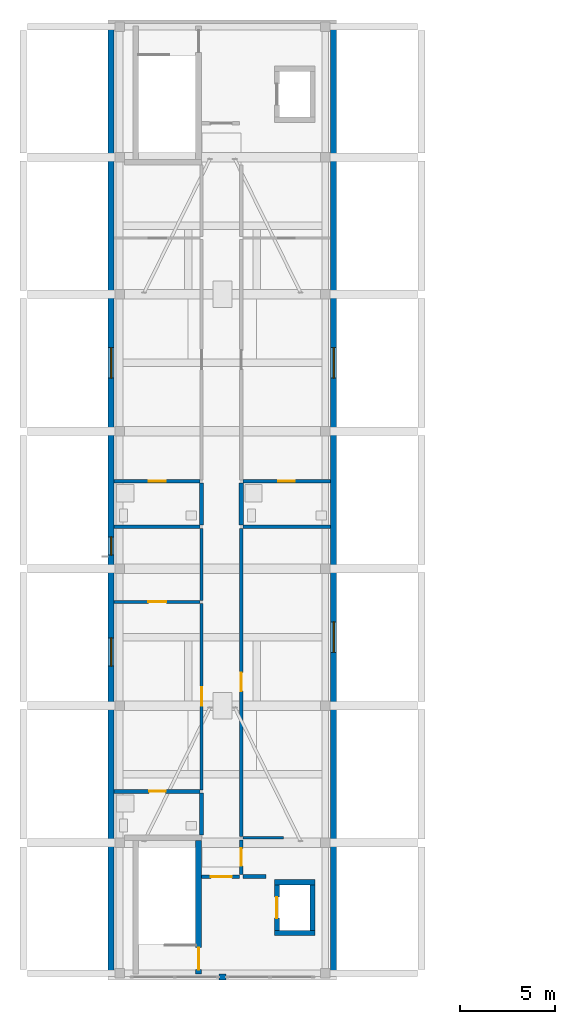
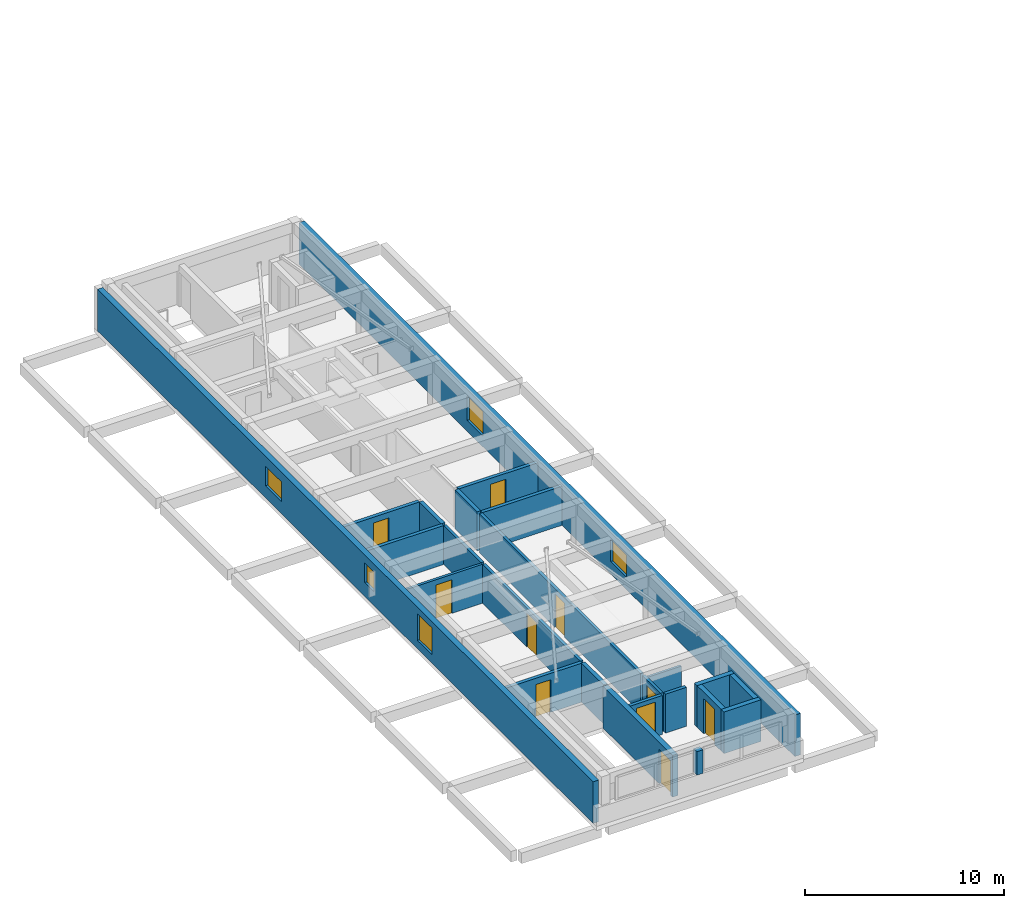
# One storey, part 4 of 9: 24 walls, 10 doors, 5 windows, 15 openings.
"""IFC4 building model written with IfcOpenShell, lengths in metres."""

from ifc_helpers import new_model, si_unit, derived_unit, direction, frame, frame_2d, origin, place, context, subcontext, project, spatial, rectangle, extrude, material, layer, layer_set, type_object, element, fill, save


model = new_model("IFC4")

# Units and contexts
model_context = context("Model", 3, precision=1e-05, world=origin(), true_north=direction((0.0, 1.0)))
body_context = subcontext(model_context, "Body", "Model", "MODEL_VIEW")
ifc_project = project(units=[si_unit("LENGTHUNIT", "METRE"), si_unit("AREAUNIT", "SQUARE_METRE"), si_unit("VOLUMEUNIT", "CUBIC_METRE"), si_unit("PLANEANGLEUNIT", "RADIAN"), si_unit("MASSUNIT", "GRAM", prefix="KILO"), derived_unit("THERMALTRANSMITTANCEUNIT", [(si_unit("MASSUNIT", "GRAM", prefix="KILO"), 1), (si_unit("TIMEUNIT", "SECOND"), -3), (si_unit("THERMODYNAMICTEMPERATUREUNIT", "KELVIN"), -1)])], contexts=[model_context])

# Site, building, storey
site_placement = place(None, origin())
site = spatial("IfcSite", under=ifc_project, at=site_placement, CompositionType="ELEMENT")
building_placement = place(site_placement, origin())
building = spatial("IfcBuilding", under=site, at=building_placement, Name="Ochrekiln Boulevard Commons", CompositionType="ELEMENT")
storey_placement = place(building_placement, frame((0.0, 0.0, 46.72509765625)))
storey = spatial("IfcBuildingStorey", under=building, at=storey_placement, Name="L14", CompositionType="ELEMENT", Elevation=46.72509765625)

# Wall, openings, windows
ifc_material_1 = material(Name="Desert ochre clinker brick masonry ASTM C216 Grade SW", Category="masonry")
ifc_layer_1 = layer(ifc_material_1, 0.320068359375)
ifc_layer_set_1 = layer_set([ifc_layer_1], Name="Desert ochre clinker brick masonry ASTM C216 Grade SW")
wall_type_1 = type_object("IfcWallType", Name="WL-EXT-OCHRE-320", PredefinedType="SOLIDWALL", material=ifc_layer_set_1)
wall_1_placement = place(storey_placement, frame((4.9599609375, 68.719970703125, 0.0), z_axis=(0.0, 0.0, 1.0), x_axis=(0.0, 1.0, 0.0)))
wall_1 = element("IfcWall", 1, at=wall_1_placement, inside=storey, type_object=wall_type_1, Name="Block A L14 W Exterior Wall", PredefinedType="SOLIDWALL", context=body_context, shape_type="SweptSolid", body=[
    extrude(rectangle(XDim=49.760009765625, YDim=0.320068359375, at=frame_2d((24.8798828125, 0.0))), origin(), (0.0, 0.0, 1.0), 2.5498046875),
])
opening_1_placement = place(wall_1_placement, frame((16.160888671875, 0.0, 0.514892578125)))
opening_1 = element("IfcOpeningElement", 2, at=opening_1_placement, cuts=wall_1, Name="Opening W-29", PredefinedType="OPENING", context=body_context, shape_type="SweptSolid", body=[
    extrude(rectangle(XDim=1.47998046875, YDim=1.64990234375, at=frame_2d((0.739990234375, 0.824951171875))), frame((0.0, 0.169921875, 0.0), z_axis=(0.0, -1.0, 0.0), x_axis=(1.0, 0.0, 0.0)), (0.0, 0.0, 1.0), 0.340087890625),
])
opening_2_placement = place(wall_1_placement, frame((21.990966796875, 0.0, 0.85009765625)))
opening_2 = element("IfcOpeningElement", 3, at=opening_2_placement, cuts=wall_1, Name="Opening W-01", PredefinedType="OPENING", context=body_context, shape_type="SweptSolid", body=[
    extrude(rectangle(XDim=0.949951171875, YDim=1.199951171875, at=frame_2d((0.47509765625, 0.60009765625))), frame((0.0, 0.169921875, 0.0), z_axis=(0.0, -1.0, 0.0), x_axis=(1.0, 0.0, 0.0)), (0.0, 0.0, 1.0), 0.340087890625),
])
opening_3_placement = place(wall_1_placement, frame((31.280029296875, 0.0, 0.75)))
opening_3 = element("IfcOpeningElement", 4, at=opening_3_placement, cuts=wall_1, Name="Opening W-31", PredefinedType="OPENING", context=body_context, shape_type="SweptSolid", body=[
    extrude(rectangle(XDim=1.60009765625, YDim=1.199951171875, at=frame_2d((0.800048828125, 0.60009765625))), frame((0.0, 0.169921875, 0.0), z_axis=(0.0, -1.0, 0.0), x_axis=(1.0, 0.0, 0.0)), (0.0, 0.0, 1.0), 0.340087890625),
])
ifc_material_2 = material(Name="Thermally broken aluminium-clad oak frame", Category="aluminium")
window_type_1 = type_object("IfcWindowType", Name="WIN-EXT-01", PartitioningType="SINGLE_PANEL", PredefinedType="WINDOW", material=ifc_material_2)
window_1_placement = place(opening_2_placement, origin())
window_1 = element("IfcWindow", 5, at=window_1_placement, inside=storey, type_object=window_type_1, Name="Block A L14 Punched Masonry Window W-01", OverallHeight=1.199951171875, OverallWidth=0.949951171875, PartitioningType="SINGLE_PANEL", PredefinedType="WINDOW", context=body_context, shape_type="SweptSolid", body=[
    extrude(rectangle(XDim=0.949951171875, YDim=1.199951171875, at=frame_2d((0.47509765625, 0.60009765625))), frame((0.0, 0.030029296875, 0.0), z_axis=(0.0, -1.0, 0.0), x_axis=(1.0, 0.0, 0.0)), (0.0, 0.0, 1.0), 0.06005859375),
])
fill(opening_2, window_1)
window_type_2 = type_object("IfcWindowType", Name="WIN-EXT-29", PartitioningType="SINGLE_PANEL", PredefinedType="WINDOW", material=ifc_material_2)
window_2_placement = place(opening_1_placement, origin())
window_2 = element("IfcWindow", 6, at=window_2_placement, inside=storey, type_object=window_type_2, Name="Block A L14 Punched Masonry Window W-29", OverallHeight=1.64990234375, OverallWidth=1.47998046875, PartitioningType="SINGLE_PANEL", PredefinedType="WINDOW", context=body_context, shape_type="SweptSolid", body=[
    extrude(rectangle(XDim=1.47998046875, YDim=1.64990234375, at=frame_2d((0.739990234375, 0.824951171875))), frame((0.0, 0.030029296875, 0.0), z_axis=(0.0, -1.0, 0.0), x_axis=(1.0, 0.0, 0.0)), (0.0, 0.0, 1.0), 0.06005859375),
])
fill(opening_1, window_2)
window_type_3 = type_object("IfcWindowType", Name="WIN-EXT-31", PartitioningType="DOUBLE_PANEL_VERTICAL", PredefinedType="WINDOW", material=ifc_material_2)
window_3_placement = place(opening_3_placement, origin())
window_3 = element("IfcWindow", 7, at=window_3_placement, inside=storey, type_object=window_type_3, Name="Block A L14 Punched Masonry Window W-31", OverallHeight=1.199951171875, OverallWidth=1.60009765625, PartitioningType="DOUBLE_PANEL_VERTICAL", PredefinedType="WINDOW", context=body_context, shape_type="SweptSolid", body=[
    extrude(rectangle(XDim=1.60009765625, YDim=1.199951171875, at=frame_2d((0.800048828125, 0.60009765625))), frame((0.0, 0.030029296875, 0.0), z_axis=(0.0, -1.0, 0.0), x_axis=(1.0, 0.0, 0.0)), (0.0, 0.0, 1.0), 0.06005859375),
])
fill(opening_3, window_3)

wall_2_placement = place(storey_placement, frame((16.639892578125, 68.719970703125, 0.0), z_axis=(0.0, 0.0, 1.0), x_axis=(0.0, 1.0, 0.0)))
wall_2 = element("IfcWall", 8, at=wall_2_placement, inside=storey, type_object=wall_type_1, Name="Block A L14 E Exterior Wall", PredefinedType="SOLIDWALL", context=body_context, shape_type="SweptSolid", body=[
    extrude(rectangle(XDim=49.760009765625, YDim=0.320068359375, at=frame_2d((24.8798828125, 0.0))), origin(), (0.0, 0.0, 1.0), 2.5498046875),
])
opening_4_placement = place(wall_2_placement, frame((16.8798828125, 0.0, 0.75)))
opening_4 = element("IfcOpeningElement", 9, at=opening_4_placement, cuts=wall_2, Name="Opening W-32", PredefinedType="OPENING", context=body_context, shape_type="SweptSolid", body=[
    extrude(rectangle(XDim=1.60009765625, YDim=1.35009765625, at=frame_2d((0.800048828125, 0.675048828125))), frame((0.0, 0.169921875, 0.0), z_axis=(0.0, -1.0, 0.0), x_axis=(1.0, 0.0, 0.0)), (0.0, 0.0, 1.0), 0.340087890625),
])
opening_5_placement = place(wall_2_placement, frame((31.280029296875, 0.0, 0.6650390625)))
opening_5 = element("IfcOpeningElement", 10, at=opening_5_placement, cuts=wall_2, Name="Opening W-33", PredefinedType="OPENING", context=body_context, shape_type="SweptSolid", body=[
    extrude(rectangle(XDim=1.60009765625, YDim=1.5, at=frame_2d((0.800048828125, 0.75))), frame((0.0, 0.169921875, 0.0), z_axis=(0.0, -1.0, 0.0), x_axis=(1.0, 0.0, 0.0)), (0.0, 0.0, 1.0), 0.340087890625),
])
window_type_4 = type_object("IfcWindowType", Name="WIN-EXT-32", PartitioningType="DOUBLE_PANEL_VERTICAL", PredefinedType="WINDOW", material=ifc_material_2)
window_4_placement = place(opening_4_placement, origin())
window_4 = element("IfcWindow", 11, at=window_4_placement, inside=storey, type_object=window_type_4, Name="Block A L14 Punched Masonry Window W-32", OverallHeight=1.35009765625, OverallWidth=1.60009765625, PartitioningType="DOUBLE_PANEL_VERTICAL", PredefinedType="WINDOW", context=body_context, shape_type="SweptSolid", body=[
    extrude(rectangle(XDim=1.60009765625, YDim=1.35009765625, at=frame_2d((0.800048828125, 0.675048828125))), frame((0.0, 0.030029296875, 0.0), z_axis=(0.0, -1.0, 0.0), x_axis=(1.0, 0.0, 0.0)), (0.0, 0.0, 1.0), 0.06005859375),
])
fill(opening_4, window_4)
window_type_5 = type_object("IfcWindowType", Name="WIN-EXT-33", PartitioningType="DOUBLE_PANEL_VERTICAL", PredefinedType="WINDOW", material=ifc_material_2)
window_5_placement = place(opening_5_placement, origin())
window_5 = element("IfcWindow", 12, at=window_5_placement, inside=storey, type_object=window_type_5, Name="Block A L14 Punched Masonry Window W-33", OverallHeight=1.5, OverallWidth=1.60009765625, PartitioningType="DOUBLE_PANEL_VERTICAL", PredefinedType="WINDOW", context=body_context, shape_type="SweptSolid", body=[
    extrude(rectangle(XDim=1.60009765625, YDim=1.5, at=frame_2d((0.800048828125, 0.75))), frame((0.0, 0.030029296875, 0.0), z_axis=(0.0, -1.0, 0.0), x_axis=(1.0, 0.0, 0.0)), (0.0, 0.0, 1.0), 0.06005859375),
])
fill(opening_5, window_5)

# Wall
wall_3_placement = place(storey_placement, frame((10.6201171875, 68.56005859375, 1.10986328125), z_axis=(0.0, 0.0, 1.0), x_axis=(1.0, 0.0, 0.0)))
element("IfcWall", 13, at=wall_3_placement, inside=storey, type_object=wall_type_1, Name="Block A L14 Courtyard Gable Mullion Pier", PredefinedType="SOLIDWALL", context=body_context, shape_type="SweptSolid", body=[
    extrude(rectangle(XDim=0.35986328125, YDim=0.320068359375, at=frame_2d((0.179931640625, 0.0))), origin(), (0.0, 0.0, 1.0), 1.43994140625),
])

# Wall, opening, door
ifc_material_3 = material(Name="Moisture-resistant cementitious tile backer wall")
ifc_layer_2 = layer(ifc_material_3, 0.199951171875)
ifc_layer_set_2 = layer_set([ifc_layer_2], Name="Moisture-resistant cementitious tile backer wall")
wall_type_2 = type_object("IfcWallType", Name="WL-PLM-200", PredefinedType="PLUMBINGWALL", material=ifc_layer_set_2)
wall_4_placement = place(storey_placement, frame((5.1201171875, 78.300048828125, 0.0), z_axis=(0.0, 0.0, 1.0), x_axis=(1.0, 0.0, 0.0)))
wall_4 = element("IfcWall", 14, at=wall_4_placement, inside=storey, type_object=wall_type_2, Name="L14 Interior Wall W-PW200", PredefinedType="PLUMBINGWALL", context=body_context, shape_type="SweptSolid", body=[
    extrude(rectangle(XDim=4.5078125, YDim=0.199951171875, at=frame_2d((2.25390625, 0.0))), origin(), (0.0, 0.0, 1.0), 2.389892578125),
])
opening_6_placement = place(wall_4_placement, frame((1.8349609375, 0.0, 0.0)))
opening_6 = element("IfcOpeningElement", 15, at=opening_6_placement, cuts=wall_4, Name="Opening D-L14-1371", PredefinedType="OPENING", context=body_context, shape_type="SweptSolid", body=[
    extrude(rectangle(XDim=0.860107421875, YDim=2.0, at=frame_2d((0.43017578125, 1.0))), frame((0.0, 0.10986328125, 0.0), z_axis=(0.0, -1.0, 0.0), x_axis=(1.0, 0.0, 0.0)), (0.0, 0.0, 1.0), 0.219970703125),
])
ifc_material_4 = material(Name="Solid core architectural oak door leaf")
door_type_1 = type_object("IfcDoorType", Name="DR-INT-BTH-086", OperationType="NOTDEFINED", PredefinedType="DOOR", material=ifc_material_4)
door_1_placement = place(opening_6_placement, frame((0.860107421875, 0.0, 0.0), z_axis=(0.0, 0.0, 1.0), x_axis=(-1.0, 0.0, 0.0)))
door_1 = element("IfcDoor", 16, at=door_1_placement, inside=storey, type_object=door_type_1, Name="L14 Interior Door to Loft Bathroom", OperationType="SINGLE_SWING_LEFT", OverallHeight=2.0, OverallWidth=0.860107421875, PredefinedType="DOOR", context=body_context, shape_type="SweptSolid", body=[
    extrude(rectangle(XDim=0.860107421875, YDim=2.0, at=frame_2d((0.43017578125, 1.0))), frame((0.0, 0.02490234375, 0.0), z_axis=(0.0, -1.0, 0.0), x_axis=(1.0, 0.0, 0.0)), (0.0, 0.0, 1.0), 0.050048828125),
])
fill(opening_6, door_1)

# Wall
wall_5_placement = place(storey_placement, frame((5.1201171875, 92.19189453125, 0.0), z_axis=(0.0, 0.0, 1.0), x_axis=(1.0, 0.0, 0.0)))
element("IfcWall", 17, at=wall_5_placement, inside=storey, type_object=wall_type_2, Name="L14 Interior Wall W-PW200", PredefinedType="PLUMBINGWALL", context=body_context, shape_type="SweptSolid", body=[
    extrude(rectangle(XDim=4.5078125, YDim=0.199951171875, at=frame_2d((2.25390625, 0.0))), origin(), (0.0, 0.0, 1.0), 2.389892578125),
])

# Wall, opening, door
wall_6_placement = place(storey_placement, frame((5.1201171875, 94.58203125, 0.0), z_axis=(0.0, 0.0, 1.0), x_axis=(1.0, 0.0, 0.0)))
wall_6 = element("IfcWall", 18, at=wall_6_placement, inside=storey, type_object=wall_type_2, Name="L14 Interior Wall W-PW200", PredefinedType="PLUMBINGWALL", context=body_context, shape_type="SweptSolid", body=[
    extrude(rectangle(XDim=4.5078125, YDim=0.199951171875, at=frame_2d((2.25390625, 0.0))), origin(), (0.0, 0.0, 1.0), 2.389892578125),
])
opening_7_placement = place(wall_6_placement, frame((1.820068359375, 0.0, 0.0)))
opening_7 = element("IfcOpeningElement", 19, at=opening_7_placement, cuts=wall_6, Name="Opening D-L14-1373", PredefinedType="OPENING", context=body_context, shape_type="SweptSolid", body=[
    extrude(rectangle(XDim=0.889892578125, YDim=2.030029296875, at=frame_2d((0.44482421875, 1.01513671875))), frame((0.0, 0.10986328125, 0.0), z_axis=(0.0, -1.0, 0.0), x_axis=(1.0, 0.0, 0.0)), (0.0, 0.0, 1.0), 0.219970703125),
])
door_type_2 = type_object("IfcDoorType", Name="DR-INT-BTH-089", OperationType="NOTDEFINED", PredefinedType="DOOR", material=ifc_material_4)
door_2_placement = place(opening_7_placement, frame((0.889892578125, 0.0, 0.0), z_axis=(0.0, 0.0, 1.0), x_axis=(-1.0, 0.0, 0.0)))
door_2 = element("IfcDoor", 20, at=door_2_placement, inside=storey, type_object=door_type_2, Name="L14 Interior Door to Loft Bathroom", OperationType="SINGLE_SWING_LEFT", OverallHeight=2.030029296875, OverallWidth=0.889892578125, PredefinedType="DOOR", context=body_context, shape_type="SweptSolid", body=[
    extrude(rectangle(XDim=0.889892578125, YDim=2.030029296875, at=frame_2d((0.44482421875, 1.01513671875))), frame((0.0, 0.02490234375, 0.0), z_axis=(0.0, -1.0, 0.0), x_axis=(1.0, 0.0, 0.0)), (0.0, 0.0, 1.0), 0.050048828125),
])
fill(opening_7, door_2)

# Wall
wall_7_placement = place(storey_placement, frame((11.8720703125, 92.19189453125, 0.0), z_axis=(0.0, 0.0, 1.0), x_axis=(1.0, 0.0, 0.0)))
element("IfcWall", 21, at=wall_7_placement, inside=storey, type_object=wall_type_2, Name="L14 Interior Wall W-PW200", PredefinedType="PLUMBINGWALL", context=body_context, shape_type="SweptSolid", body=[
    extrude(rectangle(XDim=4.60791015625, YDim=0.199951171875, at=frame_2d((2.303955078125, 0.0))), origin(), (0.0, 0.0, 1.0), 2.389892578125),
])

# Wall, opening, door
wall_8_placement = place(storey_placement, frame((11.8720703125, 94.58203125, 0.0), z_axis=(0.0, 0.0, 1.0), x_axis=(1.0, 0.0, 0.0)))
wall_8 = element("IfcWall", 22, at=wall_8_placement, inside=storey, type_object=wall_type_2, Name="L14 Interior Wall W-PW200", PredefinedType="PLUMBINGWALL", context=body_context, shape_type="SweptSolid", body=[
    extrude(rectangle(XDim=4.60791015625, YDim=0.199951171875, at=frame_2d((2.303955078125, 0.0))), origin(), (0.0, 0.0, 1.0), 2.389892578125),
])
opening_8_placement = place(wall_8_placement, frame((1.847900390625, 0.0, 0.0)))
opening_8 = element("IfcOpeningElement", 23, at=opening_8_placement, cuts=wall_8, Name="Opening D-L14-1375", PredefinedType="OPENING", context=body_context, shape_type="SweptSolid", body=[
    extrude(rectangle(XDim=0.889892578125, YDim=2.030029296875, at=frame_2d((0.44482421875, 1.01513671875))), frame((0.0, 0.10986328125, 0.0), z_axis=(0.0, -1.0, 0.0), x_axis=(1.0, 0.0, 0.0)), (0.0, 0.0, 1.0), 0.219970703125),
])
door_3_placement = place(opening_8_placement, frame((0.889892578125, 0.0, 0.0), z_axis=(0.0, 0.0, 1.0), x_axis=(-1.0, 0.0, 0.0)))
door_3 = element("IfcDoor", 24, at=door_3_placement, inside=storey, type_object=door_type_2, Name="L14 Interior Door to Loft Bathroom", OperationType="SINGLE_SWING_LEFT", OverallHeight=2.030029296875, OverallWidth=0.889892578125, PredefinedType="DOOR", context=body_context, shape_type="SweptSolid", body=[
    extrude(rectangle(XDim=0.889892578125, YDim=2.030029296875, at=frame_2d((0.44482421875, 1.01513671875))), frame((0.0, 0.02490234375, 0.0), z_axis=(0.0, -1.0, 0.0), x_axis=(1.0, 0.0, 0.0)), (0.0, 0.0, 1.0), 0.050048828125),
])
fill(opening_8, door_3)

# Walls
ifc_layer_3 = layer(ifc_material_3, 0.219970703125)
ifc_layer_set_3 = layer_set([ifc_layer_3], Name="Moisture-resistant cementitious tile backer wall")
wall_type_3 = type_object("IfcWallType", Name="WL-PLM-220", PredefinedType="PLUMBINGWALL", material=ifc_layer_set_3)
for number, where, z_axis, x_axis, name in (
    (25, (9.7099609375, 76.0, 0.0), (0.0, 0.0, 1.0), (0.0, 1.0, 0.0), "L14 Interior Wall W-PW220"),
    (26, (9.7099609375, 92.281982421875, 0.0), (0.0, 0.0, 1.0), (0.0, 1.0, 0.0), "L14 Interior Wall W-PW220"),
    (27, (11.7900390625, 92.281982421875, 0.0), (0.0, 0.0, 1.0), (0.0, 1.0, 0.0), "L14 Interior Wall W-PW220"),
):
    element("IfcWall", number, at=place(storey_placement, frame(where, z_axis=z_axis, x_axis=x_axis)), inside=storey, type_object=wall_type_3, Name=name, PredefinedType="PLUMBINGWALL", context=body_context, shape_type="SweptSolid", body=[
        extrude(rectangle(XDim=2.219970703125, YDim=0.219970703125, at=frame_2d((1.10986328125, 0.0))), origin(), (0.0, 0.0, 1.0), 2.389892578125),
    ])
ifc_material_5 = material(Name="Fire-rated Type X gypsum board on steel studs", Category="steel")
ifc_layer_4 = layer(ifc_material_5, 0.139892578125)
ifc_layer_set_4 = layer_set([ifc_layer_4], Name="Fire-rated Type X gypsum board on steel studs")
wall_type_4 = type_object("IfcWallType", Name="WL-PT-ACO-140", PredefinedType="PARTITIONING", material=ifc_layer_set_4)
wall_9_placement = place(storey_placement, frame((11.8720703125, 75.875, 0.0), z_axis=(0.0, 0.0, 1.0), x_axis=(1.0, 0.0, 0.0)))
element("IfcWall", 28, at=wall_9_placement, inside=storey, type_object=wall_type_4, Name="L14 Interior Wall W-PA140", PredefinedType="PARTITIONING", context=body_context, shape_type="SweptSolid", body=[
    extrude(rectangle(XDim=2.1279296875, YDim=0.139892578125, at=frame_2d((1.06396484375, 0.0))), origin(), (0.0, 0.0, 1.0), 2.119873046875),
])

# Wall, opening, door
ifc_layer_5 = layer(ifc_material_5, 0.1650390625)
ifc_layer_set_5 = layer_set([ifc_layer_5], Name="Fire-rated Type X gypsum board on steel studs")
wall_type_5 = type_object("IfcWallType", Name="WL-PT-CORR-165", PredefinedType="PARTITIONING", material=ifc_layer_set_5)
wall_10_placement = place(storey_placement, frame((11.7900390625, 73.929931640625, 0.0), z_axis=(0.0, 0.0, 1.0), x_axis=(0.0, 1.0, 0.0)))
wall_10 = element("IfcWall", 29, at=wall_10_placement, inside=storey, type_object=wall_type_5, Name="L14 Interior Wall W-PC165", PredefinedType="PARTITIONING", context=body_context, shape_type="SweptSolid", body=[
    extrude(rectangle(XDim=1.820068359375, YDim=0.1650390625, at=frame_2d((0.91015625, 0.0))), origin(), (0.0, 0.0, 1.0), 2.389892578125),
])
opening_9_placement = place(wall_10_placement, frame((0.4599609375, 0.0, 0.0)))
opening_9 = element("IfcOpeningElement", 30, at=opening_9_placement, cuts=wall_10, Name="Opening D-L14-1366", PredefinedType="OPENING", context=body_context, shape_type="SweptSolid", body=[
    extrude(rectangle(XDim=0.919921875, YDim=2.0400390625, at=frame_2d((0.4599609375, 1.02001953125))), frame((0.0, 0.092529296875, 0.0), z_axis=(0.0, -1.0, 0.0), x_axis=(1.0, 0.0, 0.0)), (0.0, 0.0, 1.0), 0.18505859375),
])
ifc_material_6 = material(Name="Hollow metal fire-rated steel door assembly", Category="steel")
door_type_3 = type_object("IfcDoorType", Name="DR-SRV-90", OperationType="NOTDEFINED", PredefinedType="DOOR", material=ifc_material_6)
door_4_placement = place(opening_9_placement, frame((0.919921875, 0.0, 0.0), z_axis=(0.0, 0.0, 1.0), x_axis=(-1.0, 0.0, 0.0)))
door_4 = element("IfcDoor", 31, at=door_4_placement, inside=storey, type_object=door_type_3, Name="L14 Interior Door to Hydronic and Electrical Riser Room", OperationType="SINGLE_SWING_RIGHT", OverallHeight=2.0400390625, OverallWidth=0.919921875, PredefinedType="DOOR", context=body_context, shape_type="SweptSolid", body=[
    extrude(rectangle(XDim=0.919921875, YDim=2.0400390625, at=frame_2d((0.4599609375, 1.02001953125))), frame((0.0, 0.02490234375, 0.0), z_axis=(0.0, -1.0, 0.0), x_axis=(1.0, 0.0, 0.0)), (0.0, 0.0, 1.0), 0.050048828125),
])
fill(opening_9, door_4)

wall_11_placement = place(storey_placement, frame((9.7099609375, 78.3798828125, 0.0), z_axis=(0.0, 0.0, 1.0), x_axis=(0.0, 1.0, 0.0)))
wall_11 = element("IfcWall", 32, at=wall_11_placement, inside=storey, type_object=wall_type_5, Name="L14 Interior Wall W-PC165", PredefinedType="PARTITIONING", context=body_context, shape_type="SweptSolid", body=[
    extrude(rectangle(XDim=9.792236328125, YDim=0.1650390625, at=frame_2d((4.89599609375, 0.0))), origin(), (0.0, 0.0, 1.0), 2.389892578125),
])
opening_10_placement = place(wall_11_placement, frame((4.406005859375, 0.0, 0.0)))
opening_10 = element("IfcOpeningElement", 33, at=opening_10_placement, cuts=wall_11, Name="Opening D-L14-1367", PredefinedType="OPENING", context=body_context, shape_type="SweptSolid", body=[
    extrude(rectangle(XDim=0.97998046875, YDim=2.080078125, at=frame_2d((0.489990234375, 1.0400390625))), frame((0.0, 0.092529296875, 0.0), z_axis=(0.0, -1.0, 0.0), x_axis=(1.0, 0.0, 0.0)), (0.0, 0.0, 1.0), 0.18505859375),
])
door_type_4 = type_object("IfcDoorType", Name="DR-APT-60", OperationType="NOTDEFINED", PredefinedType="DOOR", material=ifc_material_4)
door_5_placement = place(opening_10_placement, origin())
door_5 = element("IfcDoor", 34, at=door_5_placement, inside=storey, type_object=door_type_4, Name="L14 Interior Door to Loft Living Room", OperationType="SINGLE_SWING_LEFT", OverallHeight=2.080078125, OverallWidth=0.97998046875, PredefinedType="DOOR", context=body_context, shape_type="SweptSolid", body=[
    extrude(rectangle(XDim=0.97998046875, YDim=2.080078125, at=frame_2d((0.489990234375, 1.0400390625))), frame((0.0, 0.02490234375, 0.0), z_axis=(0.0, -1.0, 0.0), x_axis=(1.0, 0.0, 0.0)), (0.0, 0.0, 1.0), 0.050048828125),
])
fill(opening_10, door_5)

# Wall
wall_12_placement = place(storey_placement, frame((9.7099609375, 88.33203125, 0.0), z_axis=(0.0, 0.0, 1.0), x_axis=(0.0, 1.0, 0.0)))
element("IfcWall", 35, at=wall_12_placement, inside=storey, type_object=wall_type_5, Name="L14 Interior Wall W-PC165", PredefinedType="PARTITIONING", context=body_context, shape_type="SweptSolid", body=[
    extrude(rectangle(XDim=3.77001953125, YDim=0.1650390625, at=frame_2d((1.885009765625, 0.0))), origin(), (0.0, 0.0, 1.0), 2.389892578125),
])

# Wall, opening, door
wall_13_placement = place(storey_placement, frame((11.7900390625, 75.945068359375, 0.0), z_axis=(0.0, 0.0, 1.0), x_axis=(0.0, 1.0, 0.0)))
wall_13 = element("IfcWall", 36, at=wall_13_placement, inside=storey, type_object=wall_type_5, Name="L14 Interior Wall W-PC165", PredefinedType="PARTITIONING", context=body_context, shape_type="SweptSolid", body=[
    extrude(rectangle(XDim=16.156982421875, YDim=0.1650390625, at=frame_2d((8.07861328125, 0.0))), origin(), (0.0, 0.0, 1.0), 2.389892578125),
])
opening_11_placement = place(wall_13_placement, frame((7.615966796875, 0.0, 0.0)))
opening_11 = element("IfcOpeningElement", 37, at=opening_11_placement, cuts=wall_13, Name="Opening D-L14-1369", PredefinedType="OPENING", context=body_context, shape_type="SweptSolid", body=[
    extrude(rectangle(XDim=0.97998046875, YDim=2.080078125, at=frame_2d((0.489990234375, 1.0400390625))), frame((0.0, 0.092529296875, 0.0), z_axis=(0.0, -1.0, 0.0), x_axis=(1.0, 0.0, 0.0)), (0.0, 0.0, 1.0), 0.18505859375),
])
door_6_placement = place(opening_11_placement, frame((0.97998046875, 0.0, 0.0), z_axis=(0.0, 0.0, 1.0), x_axis=(-1.0, 0.0, 0.0)))
door_6 = element("IfcDoor", 38, at=door_6_placement, inside=storey, type_object=door_type_4, Name="L14 Interior Door to Resident Study Lounge", OperationType="SINGLE_SWING_LEFT", OverallHeight=2.080078125, OverallWidth=0.97998046875, PredefinedType="DOOR", context=body_context, shape_type="SweptSolid", body=[
    extrude(rectangle(XDim=0.97998046875, YDim=2.080078125, at=frame_2d((0.489990234375, 1.0400390625))), frame((0.0, 0.02490234375, 0.0), z_axis=(0.0, -1.0, 0.0), x_axis=(1.0, 0.0, 0.0)), (0.0, 0.0, 1.0), 0.050048828125),
])
fill(opening_11, door_6)

# Wall
ifc_layer_6 = layer(ifc_material_5, 0.18994140625)
ifc_layer_set_6 = layer_set([ifc_layer_6], Name="Fire-rated Type X gypsum board on steel studs")
wall_type_6 = type_object("IfcWallType", Name="WL-PT-LBY-190", PredefinedType="PARTITIONING", material=ifc_layer_set_6)
wall_14_placement = place(storey_placement, frame((11.8798828125, 73.8349609375, 0.0), z_axis=(0.0, 0.0, 1.0), x_axis=(1.0, 0.0, 0.0)))
element("IfcWall", 39, at=wall_14_placement, inside=storey, type_object=wall_type_6, Name="L14 Interior Wall W-PL190", PredefinedType="PARTITIONING", context=body_context, shape_type="SweptSolid", body=[
    extrude(rectangle(XDim=1.22021484375, YDim=0.18994140625, at=frame_2d((0.610107421875, 0.0))), origin(), (0.0, 0.0, 1.0), 2.389892578125),
])

# Wall, opening, door
wall_15_placement = place(storey_placement, frame((9.699951171875, 73.820068359375, 0.0), z_axis=(0.0, 0.0, 1.0), x_axis=(1.0, 0.0, 0.0)))
wall_15 = element("IfcWall", 40, at=wall_15_placement, inside=storey, type_object=wall_type_6, Name="L14 Interior Wall W-PL190", PredefinedType="PARTITIONING", context=body_context, shape_type="SweptSolid", body=[
    extrude(rectangle(XDim=2.0, YDim=0.18994140625, at=frame_2d((1.0, 0.0))), origin(), (0.0, 0.0, 1.0), 2.389892578125),
])
opening_12_placement = place(wall_15_placement, frame((0.5, 0.0, 0.0)))
opening_12 = element("IfcOpeningElement", 41, at=opening_12_placement, cuts=wall_15, Name="Opening D-L14-1364", PredefinedType="OPENING", context=body_context, shape_type="SweptSolid", body=[
    extrude(rectangle(XDim=1.10009765625, YDim=2.1201171875, at=frame_2d((0.550048828125, 1.06005859375))), frame((0.0, 0.10498046875, 0.0), z_axis=(0.0, -1.0, 0.0), x_axis=(1.0, 0.0, 0.0)), (0.0, 0.0, 1.0), 0.2099609375),
])
door_type_5 = type_object("IfcDoorType", Name="DR-LOBBY-60", OperationType="NOTDEFINED", PredefinedType="DOOR", material=ifc_material_6)
door_7_placement = place(opening_12_placement, frame((1.10009765625, 0.0, 0.0), z_axis=(0.0, 0.0, 1.0), x_axis=(-1.0, 0.0, 0.0)))
door_7 = element("IfcDoor", 42, at=door_7_placement, inside=storey, type_object=door_type_5, Name="L14 Interior Door to Fire Service Access Elevator Lobby", OperationType="SINGLE_SWING_RIGHT", OverallHeight=2.1201171875, OverallWidth=1.10009765625, PredefinedType="DOOR", context=body_context, shape_type="SweptSolid", body=[
    extrude(rectangle(XDim=1.10009765625, YDim=2.1201171875, at=frame_2d((0.550048828125, 1.06005859375))), frame((0.0, 0.02490234375, 0.0), z_axis=(0.0, -1.0, 0.0), x_axis=(1.0, 0.0, 0.0)), (0.0, 0.0, 1.0), 0.050048828125),
])
fill(opening_12, door_7)

ifc_layer_7 = layer(ifc_material_5, 0.14990234375)
ifc_layer_set_7 = layer_set([ifc_layer_7], Name="Fire-rated Type X gypsum board on steel studs")
wall_type_7 = type_object("IfcWallType", Name="WL-PT-STD-150", PredefinedType="PARTITIONING", material=ifc_layer_set_7)
wall_16_placement = place(storey_placement, frame((5.1201171875, 88.251953125, 0.0), z_axis=(0.0, 0.0, 1.0), x_axis=(1.0, 0.0, 0.0)))
wall_16 = element("IfcWall", 43, at=wall_16_placement, inside=storey, type_object=wall_type_7, Name="L14 Interior Wall W-PS150", PredefinedType="PARTITIONING", context=body_context, shape_type="SweptSolid", body=[
    extrude(rectangle(XDim=4.5078125, YDim=0.14990234375, at=frame_2d((2.25390625, 0.0))), origin(), (0.0, 0.0, 1.0), 2.389892578125),
])
opening_13_placement = place(wall_16_placement, frame((1.794921875, 0.0, 0.0)))
opening_13 = element("IfcOpeningElement", 44, at=opening_13_placement, cuts=wall_16, Name="Opening D-L14-1372", PredefinedType="OPENING", context=body_context, shape_type="SweptSolid", body=[
    extrude(rectangle(XDim=0.93994140625, YDim=2.06005859375, at=frame_2d((0.469970703125, 1.030029296875))), frame((0.0, 0.0849609375, 0.0), z_axis=(0.0, -1.0, 0.0), x_axis=(1.0, 0.0, 0.0)), (0.0, 0.0, 1.0), 0.169921875),
])
door_type_6 = type_object("IfcDoorType", Name="DR-INT-BED-094", OperationType="NOTDEFINED", PredefinedType="DOOR", material=ifc_material_4)
door_8_placement = place(opening_13_placement, origin())
door_8 = element("IfcDoor", 45, at=door_8_placement, inside=storey, type_object=door_type_6, Name="L14 Interior Door to Loft Bedroom", OperationType="SINGLE_SWING_RIGHT", OverallHeight=2.06005859375, OverallWidth=0.93994140625, PredefinedType="DOOR", context=body_context, shape_type="SweptSolid", body=[
    extrude(rectangle(XDim=0.93994140625, YDim=2.06005859375, at=frame_2d((0.469970703125, 1.030029296875))), frame((0.0, 0.02490234375, 0.0), z_axis=(0.0, -1.0, 0.0), x_axis=(1.0, 0.0, 0.0)), (0.0, 0.0, 1.0), 0.050048828125),
])
fill(opening_13, door_8)

# Walls
ifc_material_7 = material(Name="Concrete C40/50", Category="concrete")
ifc_layer_8 = layer(ifc_material_7, 0.27490234375)
ifc_layer_set_8 = layer_set([ifc_layer_8], Name="Concrete C40/50")
wall_type_8 = type_object("IfcWallType", Name="WL-SH-275", PredefinedType="SHEAR", material=ifc_layer_set_8)
for number, where, z_axis, x_axis, name in (
    (46, (13.52490234375, 70.862548828125, 0.0), (0.0, 0.0, 1.0), (1.0, 0.0, 0.0), "Elevator FF-A1 L14 Hoistway Shear Wall"),
    (47, (13.52490234375, 73.53759765625, 0.0), (0.0, 0.0, 1.0), (1.0, 0.0, 0.0), "Elevator FF-A1 L14 Hoistway Shear Wall"),
):
    element("IfcWall", number, at=place(storey_placement, frame(where, z_axis=z_axis, x_axis=x_axis)), inside=storey, type_object=wall_type_8, Name=name, PredefinedType="SHEAR", context=body_context, shape_type="SweptSolid", body=[
        extrude(rectangle(XDim=2.150146484375, YDim=0.27490234375, at=frame_2d((1.0751953125, 0.0))), origin(), (0.0, 0.0, 1.0), 2.5498046875),
    ])

# Wall, opening, door
wall_17_placement = place(storey_placement, frame((13.66259765625, 71.0, 0.0), z_axis=(0.0, 0.0, 1.0), x_axis=(0.0, 1.0, 0.0)))
wall_17 = element("IfcWall", 48, at=wall_17_placement, inside=storey, type_object=wall_type_8, Name="Elevator FF-A1 L14 Hoistway Shear Wall", PredefinedType="SHEAR", context=body_context, shape_type="SweptSolid", body=[
    extrude(rectangle(XDim=2.39990234375, YDim=0.27490234375, at=frame_2d((1.199951171875, 0.0))), origin(), (0.0, 0.0, 1.0), 2.5498046875),
])
opening_14_placement = place(wall_17_placement, frame((0.64990234375, 0.0, 0.0)))
opening_14 = element("IfcOpeningElement", 49, at=opening_14_placement, cuts=wall_17, Name="Opening LD-FF-A1-L14", PredefinedType="OPENING", context=body_context, shape_type="SweptSolid", body=[
    extrude(rectangle(XDim=1.10009765625, YDim=2.14990234375, at=frame_2d((0.550048828125, 1.074951171875))), frame((0.0, 0.1474609375, 0.0), z_axis=(0.0, -1.0, 0.0), x_axis=(1.0, 0.0, 0.0)), (0.0, 0.0, 1.0), 0.294921875),
])
ifc_material_8 = material(Name="Brushed stainless steel 316 elevator cab and doors", Category="steel")
door_type_7 = type_object("IfcDoorType", Name="DR-LIFT-LD90", OperationType="SLIDING_TO_LEFT", PredefinedType="DOOR", material=ifc_material_8)
door_9_placement = place(opening_14_placement, origin())
door_9 = element("IfcDoor", 50, at=door_9_placement, inside=storey, type_object=door_type_7, Name="Elevator FF-A1 L14 Sliding Landing Door LD-FF-A1-L14", OperationType="SLIDING_TO_LEFT", OverallHeight=2.14990234375, OverallWidth=1.10009765625, PredefinedType="DOOR", context=body_context, shape_type="SweptSolid", body=[
    extrude(rectangle(XDim=1.10009765625, YDim=2.14990234375, at=frame_2d((0.550048828125, 1.074951171875))), frame((0.0, 0.02490234375, 0.0), z_axis=(0.0, -1.0, 0.0), x_axis=(1.0, 0.0, 0.0)), (0.0, 0.0, 1.0), 0.050048828125),
])
fill(opening_14, door_9)

# Wall
wall_18_placement = place(storey_placement, frame((15.53759765625, 71.0, 0.0), z_axis=(0.0, 0.0, 1.0), x_axis=(0.0, 1.0, 0.0)))
element("IfcWall", 51, at=wall_18_placement, inside=storey, type_object=wall_type_8, Name="Elevator FF-A1 L14 Hoistway Shear Wall", PredefinedType="SHEAR", context=body_context, shape_type="SweptSolid", body=[
    extrude(rectangle(XDim=2.39990234375, YDim=0.27490234375, at=frame_2d((1.199951171875, 0.0))), origin(), (0.0, 0.0, 1.0), 2.5498046875),
])

# Wall, opening, door
ifc_layer_9 = layer(ifc_material_7, 0.300048828125)
ifc_layer_set_9 = layer_set([ifc_layer_9], Name="Concrete C40/50")
wall_type_9 = type_object("IfcWallType", Name="WL-SH-300", PredefinedType="SHEAR", material=ifc_layer_set_9)
wall_19_placement = place(storey_placement, frame((9.550048828125, 68.719970703125, 0.0), z_axis=(0.0, 0.0, 1.0), x_axis=(0.0, 1.0, 0.0)))
wall_19 = element("IfcWall", 52, at=wall_19_placement, inside=storey, type_object=wall_type_9, Name="Stair ST-A1 L14 Core Shear Wall E", PredefinedType="SHEAR", context=body_context, shape_type="SweptSolid", body=[
    extrude(rectangle(XDim=7.0, YDim=0.300048828125, at=frame_2d((3.5, 0.0))), origin(), (0.0, 0.0, 1.0), 2.5498046875),
])
opening_15_placement = place(wall_19_placement, frame((0.22509765625, 0.0, 0.0)))
opening_15 = element("IfcOpeningElement", 53, at=opening_15_placement, cuts=wall_19, Name="Opening D-L14-ST-A1", PredefinedType="OPENING", context=body_context, shape_type="SweptSolid", body=[
    extrude(rectangle(XDim=1.14990234375, YDim=2.1201171875, at=frame_2d((0.574951171875, 1.06005859375))), frame((0.0, 0.159912109375, 0.0), z_axis=(0.0, -1.0, 0.0), x_axis=(1.0, 0.0, 0.0)), (0.0, 0.0, 1.0), 0.320068359375),
])
door_type_8 = type_object("IfcDoorType", Name="DR-STAIR-90", OperationType="NOTDEFINED", PredefinedType="DOOR", material=ifc_material_6)
door_10_placement = place(opening_15_placement, origin())
door_10 = element("IfcDoor", 54, at=door_10_placement, inside=storey, type_object=door_type_8, Name="Enclosed Exit Stair ST-A1 L14 Rated Door", OperationType="SINGLE_SWING_RIGHT", OverallHeight=2.1201171875, OverallWidth=1.14990234375, PredefinedType="DOOR", context=body_context, shape_type="SweptSolid", body=[
    extrude(rectangle(XDim=1.14990234375, YDim=2.1201171875, at=frame_2d((0.574951171875, 1.06005859375))), frame((0.0, 0.02490234375, 0.0), z_axis=(0.0, -1.0, 0.0), x_axis=(1.0, 0.0, 0.0)), (0.0, 0.0, 1.0), 0.050048828125),
])
fill(opening_15, door_10)

save(model, "model.ifc")
